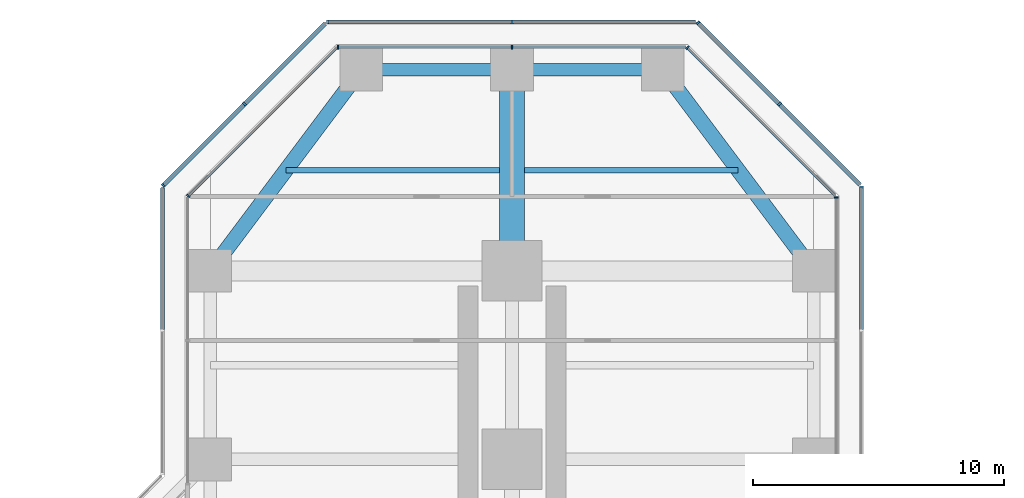
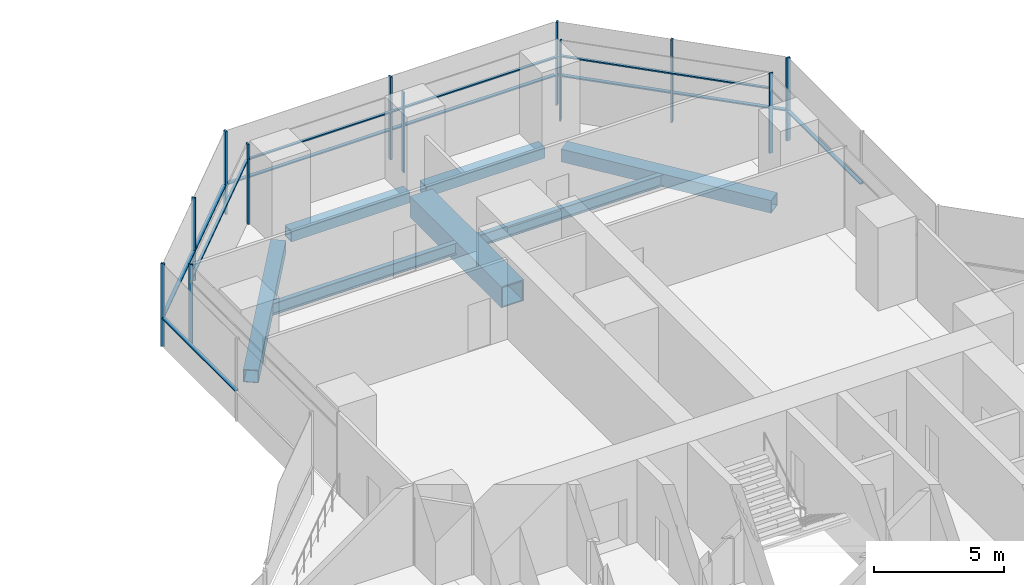
# One storey, part 13 of 22: 24 members, 7 beams, 9 elements without a shape of their own.
"""IFC4 building model written with IfcOpenShell, lengths in metres."""

from ifc_helpers import new_model, si_unit, direction, frame, origin, origin_2d, place, context, subcontext, project, spatial, rectangle, hollow_rectangle, i_section, extrude, material, material_profile, profile_set, type_object, element, aggregate, save


model = new_model("IFC4")

# Units and contexts
model_context = context("Model", 3, precision=1e-05, world=origin(), true_north=direction((0.0, 1.0)))
body_context = subcontext(model_context, "Body", "Model", "MODEL_VIEW")
ifc_project = project(units=[si_unit("LENGTHUNIT", "METRE"), si_unit("AREAUNIT", "SQUARE_METRE"), si_unit("VOLUMEUNIT", "CUBIC_METRE"), si_unit("PLANEANGLEUNIT", "RADIAN"), si_unit("MASSUNIT", "GRAM", prefix="KILO")], contexts=[model_context])

# Site, building, storey
site_placement = place(None, origin())
site = spatial("IfcSite", under=ifc_project, at=site_placement, CompositionType="ELEMENT")
building_placement = place(site_placement, origin())
building = spatial("IfcBuilding", under=site, at=building_placement, Name="Mizan Broadcast Tower", CompositionType="ELEMENT")
storey_placement = place(building_placement, frame((0.0, 0.0, 94.199951171875)))
storey = spatial("IfcBuildingStorey", under=building, at=storey_placement, Name="L20", CompositionType="ELEMENT", Elevation=94.199951171875)

# Beams
ifc_material_1 = material(Name="Steel S355", Category="steel")
ifc_material_profile_1 = material_profile(ifc_material_1, hollow_rectangle(XDim=0.5, YDim=0.5, WallThickness=0.030029296875, at=origin_2d()), Name="BOX 500x500x30")
ifc_profile_set_1 = profile_set([ifc_material_profile_1], Name="Steel S355")
beam_type_1 = type_object("IfcBeamType", Name="EDGE BEAM BOX 500x500x30", PredefinedType="SPANDREL", material=ifc_profile_set_1)
for number, where, z_axis, x_axis, name in (
    (1, (5.639892578125, 35.0, -0.3798828125), (-1.0, 0.0, 0.0), (0.0, -1.0, 0.0), "Edge beam BOX 500x500x30 L20 north arm"),
    (2, (-5.639892578125, 35.0, -0.3798828125), (1.0, 0.0, 0.0), (0.0, 1.0, 0.0), "Edge beam BOX 500x500x30 L20 north arm"),
):
    element("IfcBeam", number, at=place(storey_placement, frame(where, z_axis=z_axis, x_axis=x_axis)), inside=storey, type_object=beam_type_1, Name=name, PredefinedType="SPANDREL", context=body_context, shape_type="SweptSolid", body=[
        extrude(hollow_rectangle(XDim=0.5, YDim=0.5, WallThickness=0.030029296875, at=origin_2d()), origin(), (0.0, 0.0, 1.0), 5.27978515625),
    ])
ifc_material_2 = material(Name="Steel S355", Category="steel")
ifc_material_profile_2 = material_profile(ifc_material_2, hollow_rectangle(XDim=0.60009765625, YDim=0.60009765625, WallThickness=0.030029296875, at=origin_2d()), Name="BOX 600x600x30")
ifc_profile_set_2 = profile_set([ifc_material_profile_2], Name="Steel S355")
beam_type_2 = type_object("IfcBeamType", Name="EDGE BEAM BOX 600x600x30", PredefinedType="SPANDREL", material=ifc_profile_set_2)
for number, where, z_axis, x_axis, name in (
    (3, (11.639892578125, 27.47998046875, -0.429931640625), (-0.599982243973, 0.800013316712, 0.0), (-0.800013316712, -0.599982243973, 0.0), "Edge beam BOX 600x600x30 L20 north arm"),
    (4, (-11.639892578125, 27.47998046875, -0.429931640625), (0.599982243973, 0.800013316712, 0.0), (-0.800013316712, 0.599982243973, 0.0), "Edge beam BOX 600x600x30 L20 north arm"),
):
    element("IfcBeam", number, at=place(storey_placement, frame(where, z_axis=z_axis, x_axis=x_axis)), inside=storey, type_object=beam_type_2, Name=name, PredefinedType="SPANDREL", context=body_context, shape_type="SweptSolid", body=[
        extrude(hollow_rectangle(XDim=0.60009765625, YDim=0.60009765625, WallThickness=0.030029296875, at=origin_2d()), origin(), (0.0, 0.0, 1.0), 8.7998046875),
    ])
ifc_material_3 = material(Name="Steel S460", Category="steel")
ifc_material_profile_3 = material_profile(ifc_material_3, hollow_rectangle(XDim=1.0, YDim=1.0, WallThickness=0.06005859375, at=origin_2d()), Name="BOX 1000x1000x60")
ifc_profile_set_3 = profile_set([ifc_material_profile_3], Name="Steel S460")
beam_type_3 = type_object("IfcBeamType", Name="GIRDER BOX 1000x1000x60", PredefinedType="BEAM", material=ifc_profile_set_3)
beam_placement = place(storey_placement, frame((0.0, 27.47998046875, -0.6298828125), z_axis=(0.0, 1.0, 0.0), x_axis=(-1.0, 0.0, 0.0)))
element("IfcBeam", 5, at=beam_placement, inside=storey, type_object=beam_type_3, Name="Girder BOX 1000x1000x60 L20 north arm", PredefinedType="BEAM", context=body_context, shape_type="SweptSolid", body=[
    extrude(hollow_rectangle(XDim=1.0, YDim=1.0, WallThickness=0.06005859375, at=origin_2d()), origin(), (0.0, 0.0, 1.0), 7.0400390625),
])

# Curtain wall, member
ifc_material_4 = material(Name="Aluminium framed glazing", Category="aluminium")
curtain_wall_type_1 = type_object("IfcCurtainWallType", Name="INNER SKIN LOW ZONE", PredefinedType="USERDEFINED", material=ifc_material_4)
curtain_wall_1_placement = place(storey_placement, origin())
curtain_wall_1 = element("IfcCurtainWall", 6, at=curtain_wall_1_placement, inside=storey, type_object=curtain_wall_type_1, Name="Inner skin low zone L20 N side", ObjectType="INNER SKIN LOW ZONE", PredefinedType="USERDEFINED")
ifc_material_5 = material(Name="Aluminium, pale anodised", Category="aluminium")
ifc_material_profile_4 = material_profile(ifc_material_5, rectangle(XDim=0.159912109375, YDim=0.06005859375, at=origin_2d()), Name="MULLION 160x60")
ifc_profile_set_4 = profile_set([ifc_material_profile_4], Name="Aluminium, pale anodised")
member_type_1 = type_object("IfcMemberType", Name="INNER SKIN MULLION 60x160", PredefinedType="MULLION", material=ifc_profile_set_4)
member_1_placement = place(storey_placement, frame((12.89990234375, 29.928466796875, 0.0), z_axis=(0.0, 0.0, 1.0), x_axis=(-1.0, 0.0, 0.0)))
member_1 = element("IfcMember", 7, at=member_1_placement, type_object=member_type_1, Name="Inner skin low zone L20 N side mullion 3", PredefinedType="MULLION", context=body_context, shape_type="SweptSolid", body=[
    extrude(rectangle(XDim=0.159912109375, YDim=0.06005859375, at=origin_2d()), origin(), (0.0, 0.0, 1.0), 3.77001953125),
])
aggregate(curtain_wall_1, [member_1])

curtain_wall_2_placement = place(storey_placement, origin())
curtain_wall_2 = element("IfcCurtainWall", 8, at=curtain_wall_2_placement, inside=storey, type_object=curtain_wall_type_1, Name="Inner skin low zone L20 N chamfer", ObjectType="INNER SKIN LOW ZONE", PredefinedType="USERDEFINED")
member_2_placement = place(storey_placement, frame((6.979736328125, 35.87890625, 0.0), z_axis=(0.0, 0.0, 1.0), x_axis=(-0.707106781187, -0.707106781187, 0.0)))
member_2 = element("IfcMember", 9, at=member_2_placement, type_object=member_type_1, Name="Inner skin low zone L20 N chamfer mullion 2", PredefinedType="MULLION", context=body_context, shape_type="SweptSolid", body=[
    extrude(rectangle(XDim=0.159912109375, YDim=0.06005859375, at=origin_2d()), origin(), (0.0, 0.0, 1.0), 3.77001953125),
])

# Curtain wall, members
curtain_wall_3_placement = place(storey_placement, origin())
curtain_wall_3 = element("IfcCurtainWall", 10, at=curtain_wall_3_placement, inside=storey, type_object=curtain_wall_type_1, Name="Inner skin low zone L20 N end", ObjectType="INNER SKIN LOW ZONE", PredefinedType="USERDEFINED")
member_3_placement = place(storey_placement, frame((0.0, 35.89990234375, 0.0), z_axis=(0.0, 0.0, 1.0), x_axis=(0.0, -1.0, 0.0)))
member_3 = element("IfcMember", 11, at=member_3_placement, type_object=member_type_1, Name="Inner skin low zone L20 N end mullion 2", PredefinedType="MULLION", context=body_context, shape_type="SweptSolid", body=[
    extrude(rectangle(XDim=0.159912109375, YDim=0.06005859375, at=origin_2d()), origin(), (0.0, 0.0, 1.0), 3.77001953125),
])
member_4_placement = place(storey_placement, frame((-6.928466796875, 35.89990234375, 0.0), z_axis=(0.0, 0.0, 1.0), x_axis=(0.0, -1.0, 0.0)))
member_4 = element("IfcMember", 12, at=member_4_placement, type_object=member_type_1, Name="Inner skin low zone L20 N end mullion 3", PredefinedType="MULLION", context=body_context, shape_type="SweptSolid", body=[
    extrude(rectangle(XDim=0.159912109375, YDim=0.06005859375, at=origin_2d()), origin(), (0.0, 0.0, 1.0), 3.77001953125),
])

# Curtain wall, member
curtain_wall_4_placement = place(storey_placement, origin())
curtain_wall_4 = element("IfcCurtainWall", 13, at=curtain_wall_4_placement, inside=storey, type_object=curtain_wall_type_1, Name="Inner skin low zone L20 N chamfer", ObjectType="INNER SKIN LOW ZONE", PredefinedType="USERDEFINED")
member_5_placement = place(storey_placement, frame((-12.87890625, 29.979736328125, 0.0), z_axis=(0.0, 0.0, 1.0), x_axis=(0.707106781187, -0.707106781187, 0.0)))
member_5 = element("IfcMember", 14, at=member_5_placement, type_object=member_type_1, Name="Inner skin low zone L20 N chamfer mullion 2", PredefinedType="MULLION", context=body_context, shape_type="SweptSolid", body=[
    extrude(rectangle(XDim=0.159912109375, YDim=0.06005859375, at=origin_2d()), origin(), (0.0, 0.0, 1.0), 3.77001953125),
])

# Member
ifc_material_6 = material(Name="Aluminium, pale anodised", Category="aluminium")
ifc_material_profile_5 = material_profile(ifc_material_6, rectangle(XDim=0.1201171875, YDim=0.06005859375, at=origin_2d()), Name="TRANSOM 120x60")
ifc_profile_set_5 = profile_set([ifc_material_profile_5], Name="Aluminium, pale anodised")
member_type_2 = type_object("IfcMemberType", Name="INNER SKIN TRANSOM 60x120", PredefinedType="USERDEFINED", material=ifc_profile_set_5)
member_6_placement = place(storey_placement, frame((12.857666015625, 30.0009765625, 3.030029296875), z_axis=(-0.707106781187, 0.707106781187, 0.0), x_axis=(-0.707106781187, -0.707106781187, 0.0)))
member_6 = element("IfcMember", 15, at=member_6_placement, type_object=member_type_2, Name="Inner skin low zone L20 N chamfer transom 1.1", ObjectType="TRANSOM", PredefinedType="USERDEFINED", context=body_context, shape_type="SweptSolid", body=[
    extrude(rectangle(XDim=0.1201171875, YDim=0.06005859375, at=origin_2d()), origin(), (0.0, 0.0, 1.0), 8.28271484375),
])

aggregate(curtain_wall_2, [member_2, member_6])

member_7_placement = place(storey_placement, frame((6.898681640625, 35.89990234375, 3.030029296875), z_axis=(-1.0, 0.0, 0.0), x_axis=(0.0, -1.0, 0.0)))
member_7 = element("IfcMember", 16, at=member_7_placement, type_object=member_type_2, Name="Inner skin low zone L20 N end transom 1.1", ObjectType="TRANSOM", PredefinedType="USERDEFINED", context=body_context, shape_type="SweptSolid", body=[
    extrude(rectangle(XDim=0.1201171875, YDim=0.06005859375, at=origin_2d()), origin(), (0.0, 0.0, 1.0), 6.86865234375),
])

member_8_placement = place(storey_placement, frame((-0.030029296875, 35.89990234375, 3.030029296875), z_axis=(-1.0, 0.0, 0.0), x_axis=(0.0, -1.0, 0.0)))
member_8 = element("IfcMember", 17, at=member_8_placement, type_object=member_type_2, Name="Inner skin low zone L20 N end transom 2.1", ObjectType="TRANSOM", PredefinedType="USERDEFINED", context=body_context, shape_type="SweptSolid", body=[
    extrude(rectangle(XDim=0.1201171875, YDim=0.06005859375, at=origin_2d()), origin(), (0.0, 0.0, 1.0), 6.86865234375),
])

aggregate(curtain_wall_3, [member_3, member_4, member_7, member_8])

member_9_placement = place(storey_placement, frame((-7.0009765625, 35.857666015625, 3.030029296875), z_axis=(-0.707106781187, -0.707106781187, 0.0), x_axis=(0.707106781187, -0.707106781187, 0.0)))
member_9 = element("IfcMember", 18, at=member_9_placement, type_object=member_type_2, Name="Inner skin low zone L20 N chamfer transom 1.1", ObjectType="TRANSOM", PredefinedType="USERDEFINED", context=body_context, shape_type="SweptSolid", body=[
    extrude(rectangle(XDim=0.1201171875, YDim=0.06005859375, at=origin_2d()), origin(), (0.0, 0.0, 1.0), 8.28271484375),
])

aggregate(curtain_wall_4, [member_5, member_9])

# Curtain wall, member
ifc_material_7 = material(Name="Aluminium framed glazing", Category="aluminium")
curtain_wall_type_2 = type_object("IfcCurtainWallType", Name="OUTER SKIN", PredefinedType="USERDEFINED", material=ifc_material_7)
curtain_wall_5_placement = place(storey_placement, origin())
curtain_wall_5 = element("IfcCurtainWall", 19, at=curtain_wall_5_placement, inside=storey, type_object=curtain_wall_type_2, Name="Outer skin L20 N side", ObjectType="OUTER SKIN", PredefinedType="USERDEFINED")
ifc_material_8 = material(Name="Aluminium, pale anodised", Category="aluminium")
ifc_material_profile_6 = material_profile(ifc_material_8, rectangle(XDim=0.159912109375, YDim=0.080078125, at=origin_2d()), Name="MULLION 160x80")
ifc_profile_set_6 = profile_set([ifc_material_profile_6], Name="Aluminium, pale anodised")
member_type_3 = type_object("IfcMemberType", Name="OUTER SKIN MULLION 80x160", PredefinedType="MULLION", material=ifc_profile_set_6)
member_10_placement = place(storey_placement, frame((13.89990234375, 30.332763671875, 0.0), z_axis=(0.0, 0.0, 1.0), x_axis=(-1.0, 0.0, 0.0)))
member_10 = element("IfcMember", 20, at=member_10_placement, type_object=member_type_3, Name="Outer skin L20 N side mullion 3", PredefinedType="MULLION", context=body_context, shape_type="SweptSolid", body=[
    extrude(rectangle(XDim=0.159912109375, YDim=0.080078125, at=origin_2d()), origin(), (0.0, 0.0, 1.0), 3.900146484375),
])

# Curtain wall, members
curtain_wall_6_placement = place(storey_placement, origin())
curtain_wall_6 = element("IfcCurtainWall", 21, at=curtain_wall_6_placement, inside=storey, type_object=curtain_wall_type_2, Name="Outer skin L20 N chamfer", ObjectType="OUTER SKIN", PredefinedType="USERDEFINED")
member_11_placement = place(storey_placement, frame((10.636474609375, 33.636474609375, 0.0), z_axis=(0.0, 0.0, 1.0), x_axis=(-0.707106781187, -0.707106781187, 0.0)))
member_11 = element("IfcMember", 22, at=member_11_placement, type_object=member_type_3, Name="Outer skin L20 N chamfer mullion 2", PredefinedType="MULLION", context=body_context, shape_type="SweptSolid", body=[
    extrude(rectangle(XDim=0.159912109375, YDim=0.080078125, at=origin_2d()), origin(), (0.0, 0.0, 1.0), 3.900146484375),
])
member_12_placement = place(storey_placement, frame((7.401123046875, 36.871826171875, 0.0), z_axis=(0.0, 0.0, 1.0), x_axis=(-0.707106781187, -0.707106781187, 0.0)))
member_12 = element("IfcMember", 23, at=member_12_placement, type_object=member_type_3, Name="Outer skin L20 N chamfer mullion 3", PredefinedType="MULLION", context=body_context, shape_type="SweptSolid", body=[
    extrude(rectangle(XDim=0.159912109375, YDim=0.080078125, at=origin_2d()), origin(), (0.0, 0.0, 1.0), 3.900146484375),
])

curtain_wall_7_placement = place(storey_placement, origin())
curtain_wall_7 = element("IfcCurtainWall", 24, at=curtain_wall_7_placement, inside=storey, type_object=curtain_wall_type_2, Name="Outer skin L20 N end", ObjectType="OUTER SKIN", PredefinedType="USERDEFINED")
member_13_placement = place(storey_placement, frame((0.0, 36.89990234375, 0.0), z_axis=(0.0, 0.0, 1.0), x_axis=(0.0, -1.0, 0.0)))
member_13 = element("IfcMember", 25, at=member_13_placement, type_object=member_type_3, Name="Outer skin L20 N end mullion 2", PredefinedType="MULLION", context=body_context, shape_type="SweptSolid", body=[
    extrude(rectangle(XDim=0.159912109375, YDim=0.080078125, at=origin_2d()), origin(), (0.0, 0.0, 1.0), 3.900146484375),
])
member_14_placement = place(storey_placement, frame((-7.332763671875, 36.89990234375, 0.0), z_axis=(0.0, 0.0, 1.0), x_axis=(0.0, -1.0, 0.0)))
member_14 = element("IfcMember", 26, at=member_14_placement, type_object=member_type_3, Name="Outer skin L20 N end mullion 3", PredefinedType="MULLION", context=body_context, shape_type="SweptSolid", body=[
    extrude(rectangle(XDim=0.159912109375, YDim=0.080078125, at=origin_2d()), origin(), (0.0, 0.0, 1.0), 3.900146484375),
])

curtain_wall_8_placement = place(storey_placement, origin())
curtain_wall_8 = element("IfcCurtainWall", 27, at=curtain_wall_8_placement, inside=storey, type_object=curtain_wall_type_2, Name="Outer skin L20 N chamfer", ObjectType="OUTER SKIN", PredefinedType="USERDEFINED")
member_15_placement = place(storey_placement, frame((-10.636474609375, 33.636474609375, 0.0), z_axis=(0.0, 0.0, 1.0), x_axis=(0.707106781187, -0.707106781187, 0.0)))
member_15 = element("IfcMember", 28, at=member_15_placement, type_object=member_type_3, Name="Outer skin L20 N chamfer mullion 2", PredefinedType="MULLION", context=body_context, shape_type="SweptSolid", body=[
    extrude(rectangle(XDim=0.159912109375, YDim=0.080078125, at=origin_2d()), origin(), (0.0, 0.0, 1.0), 3.900146484375),
])
member_16_placement = place(storey_placement, frame((-13.871826171875, 30.401123046875, 0.0), z_axis=(0.0, 0.0, 1.0), x_axis=(0.707106781187, -0.707106781187, 0.0)))
member_16 = element("IfcMember", 29, at=member_16_placement, type_object=member_type_3, Name="Outer skin L20 N chamfer mullion 3", PredefinedType="MULLION", context=body_context, shape_type="SweptSolid", body=[
    extrude(rectangle(XDim=0.159912109375, YDim=0.080078125, at=origin_2d()), origin(), (0.0, 0.0, 1.0), 3.900146484375),
])

# Member
ifc_material_9 = material(Name="Aluminium, pale anodised", Category="aluminium")
ifc_material_profile_7 = material_profile(ifc_material_9, rectangle(XDim=0.159912109375, YDim=0.06005859375, at=origin_2d()), Name="TRANSOM 160x60")
ifc_profile_set_7 = profile_set([ifc_material_profile_7], Name="Aluminium, pale anodised")
member_type_4 = type_object("IfcMemberType", Name="OUTER SKIN TRANSOM 60x160", PredefinedType="USERDEFINED", material=ifc_profile_set_7)
member_17_placement = place(storey_placement, frame((13.89990234375, 24.662841796875, 1.400146484375), z_axis=(0.0, 1.0, 0.0), x_axis=(-1.0, 0.0, 0.0)))
member_17 = element("IfcMember", 30, at=member_17_placement, type_object=member_type_4, Name="Outer skin L20 N side transom 2.1", ObjectType="TRANSOM", PredefinedType="USERDEFINED", context=body_context, shape_type="SweptSolid", body=[
    extrude(rectangle(XDim=0.159912109375, YDim=0.06005859375, at=origin_2d()), origin(), (0.0, 0.0, 1.0), 5.6298828125),
])

aggregate(curtain_wall_5, [member_10, member_17])

member_18_placement = place(storey_placement, frame((13.843505859375, 30.429443359375, 1.400146484375), z_axis=(-0.707106781187, 0.707106781187, 0.0), x_axis=(-0.707106781187, -0.707106781187, 0.0)))
member_18 = element("IfcMember", 31, at=member_18_placement, type_object=member_type_4, Name="Outer skin L20 N chamfer transom 1.1", ObjectType="TRANSOM", PredefinedType="USERDEFINED", context=body_context, shape_type="SweptSolid", body=[
    extrude(rectangle(XDim=0.159912109375, YDim=0.06005859375, at=origin_2d()), origin(), (0.0, 0.0, 1.0), 4.495361328125),
])

member_19_placement = place(storey_placement, frame((10.608154296875, 33.664794921875, 1.400146484375), z_axis=(-0.707106781187, 0.707106781187, 0.0), x_axis=(-0.707106781187, -0.707106781187, 0.0)))
member_19 = element("IfcMember", 32, at=member_19_placement, type_object=member_type_4, Name="Outer skin L20 N chamfer transom 2.1", ObjectType="TRANSOM", PredefinedType="USERDEFINED", context=body_context, shape_type="SweptSolid", body=[
    extrude(rectangle(XDim=0.159912109375, YDim=0.06005859375, at=origin_2d()), origin(), (0.0, 0.0, 1.0), 4.495361328125),
])

aggregate(curtain_wall_6, [member_11, member_12, member_18, member_19])

member_20_placement = place(storey_placement, frame((7.292724609375, 36.89990234375, 1.400146484375), z_axis=(-1.0, 0.0, 0.0), x_axis=(0.0, -1.0, 0.0)))
member_20 = element("IfcMember", 33, at=member_20_placement, type_object=member_type_4, Name="Outer skin L20 N end transom 1.1", ObjectType="TRANSOM", PredefinedType="USERDEFINED", context=body_context, shape_type="SweptSolid", body=[
    extrude(rectangle(XDim=0.159912109375, YDim=0.06005859375, at=origin_2d()), origin(), (0.0, 0.0, 1.0), 7.252685546875),
])

member_21_placement = place(storey_placement, frame((-0.0400390625, 36.89990234375, 1.400146484375), z_axis=(-1.0, 0.0, 0.0), x_axis=(0.0, -1.0, 0.0)))
member_21 = element("IfcMember", 34, at=member_21_placement, type_object=member_type_4, Name="Outer skin L20 N end transom 2.1", ObjectType="TRANSOM", PredefinedType="USERDEFINED", context=body_context, shape_type="SweptSolid", body=[
    extrude(rectangle(XDim=0.159912109375, YDim=0.06005859375, at=origin_2d()), origin(), (0.0, 0.0, 1.0), 7.252685546875),
])

aggregate(curtain_wall_7, [member_13, member_14, member_20, member_21])

member_22_placement = place(storey_placement, frame((-7.429443359375, 36.843505859375, 1.400146484375), z_axis=(-0.707106781187, -0.707106781187, 0.0), x_axis=(0.707106781187, -0.707106781187, 0.0)))
member_22 = element("IfcMember", 35, at=member_22_placement, type_object=member_type_4, Name="Outer skin L20 N chamfer transom 1.1", ObjectType="TRANSOM", PredefinedType="USERDEFINED", context=body_context, shape_type="SweptSolid", body=[
    extrude(rectangle(XDim=0.159912109375, YDim=0.06005859375, at=origin_2d()), origin(), (0.0, 0.0, 1.0), 4.495361328125),
])

member_23_placement = place(storey_placement, frame((-10.664794921875, 33.608154296875, 1.400146484375), z_axis=(-0.707106781187, -0.707106781187, 0.0), x_axis=(0.707106781187, -0.707106781187, 0.0)))
member_23 = element("IfcMember", 36, at=member_23_placement, type_object=member_type_4, Name="Outer skin L20 N chamfer transom 2.1", ObjectType="TRANSOM", PredefinedType="USERDEFINED", context=body_context, shape_type="SweptSolid", body=[
    extrude(rectangle(XDim=0.159912109375, YDim=0.06005859375, at=origin_2d()), origin(), (0.0, 0.0, 1.0), 4.495361328125),
])

aggregate(curtain_wall_8, [member_15, member_16, member_22, member_23])

# Curtain wall, member
curtain_wall_9_placement = place(storey_placement, origin())
curtain_wall_9 = element("IfcCurtainWall", 37, at=curtain_wall_9_placement, inside=storey, type_object=curtain_wall_type_2, Name="Outer skin L20 N side", ObjectType="OUTER SKIN", PredefinedType="USERDEFINED")
member_24_placement = place(storey_placement, frame((-13.89990234375, 30.292724609375, 1.400146484375), z_axis=(0.0, -1.0, 0.0), x_axis=(1.0, 0.0, 0.0)))
member_24 = element("IfcMember", 38, at=member_24_placement, type_object=member_type_4, Name="Outer skin L20 N side transom 1.1", ObjectType="TRANSOM", PredefinedType="USERDEFINED", context=body_context, shape_type="SweptSolid", body=[
    extrude(rectangle(XDim=0.159912109375, YDim=0.06005859375, at=origin_2d()), origin(), (0.0, 0.0, 1.0), 5.6298828125),
])
aggregate(curtain_wall_9, [member_24])

# Beams
ifc_material_10 = material(Name="Steel S355", Category="steel")
ifc_material_profile_8 = material_profile(ifc_material_10, i_section(OverallWidth=0.2099609375, OverallDepth=0.550048828125, WebThickness=0.010986328125, FlangeThickness=0.01708984375, FilletRadius=0.02392578125, at=origin_2d()), Name="IPE 550")
ifc_profile_set_8 = profile_set([ifc_material_profile_8], Name="Steel S355")
beam_type_4 = type_object("IfcBeamType", Name="SECONDARY BEAM IPE 550", PredefinedType="JOIST", material=ifc_profile_set_8)
for number, where, z_axis, x_axis, name in (
    (39, (9.0, 31.0, -0.405029296875), (-1.0, 0.0, 0.0), (0.0, -1.0, 0.0), "Secondary beam IPE 550 L20 north arm"),
    (40, (-9.0, 31.0, -0.405029296875), (1.0, 0.0, 0.0), (0.0, 1.0, 0.0), "Secondary beam IPE 550 L20 north arm"),
):
    element("IfcBeam", number, at=place(storey_placement, frame(where, z_axis=z_axis, x_axis=x_axis)), inside=storey, type_object=beam_type_4, Name=name, PredefinedType="JOIST", context=body_context, shape_type="SweptSolid", body=[
        extrude(i_section(OverallWidth=0.2099609375, OverallDepth=0.550048828125, WebThickness=0.010986328125, FlangeThickness=0.01708984375, FilletRadius=0.02392578125, at=origin_2d()), origin(), (0.0, 0.0, 1.0), 8.5),
    ])

save(model, "model.ifc")
